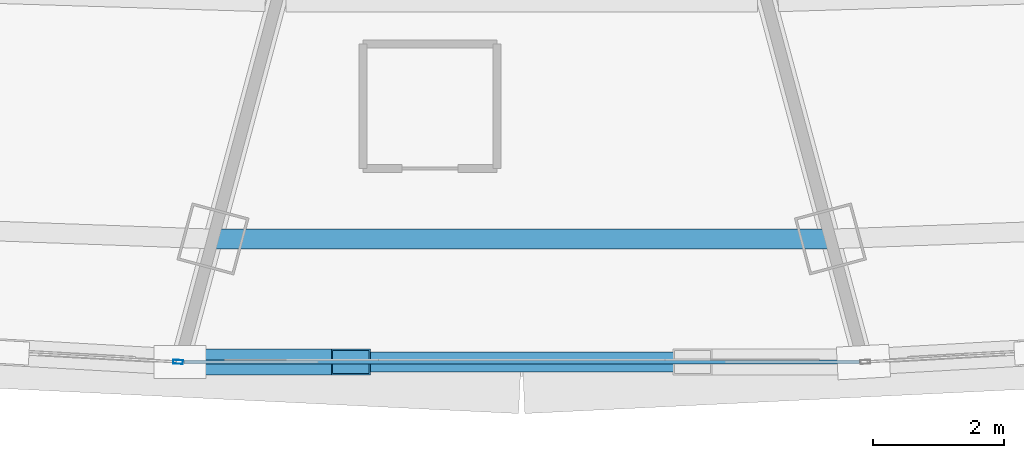
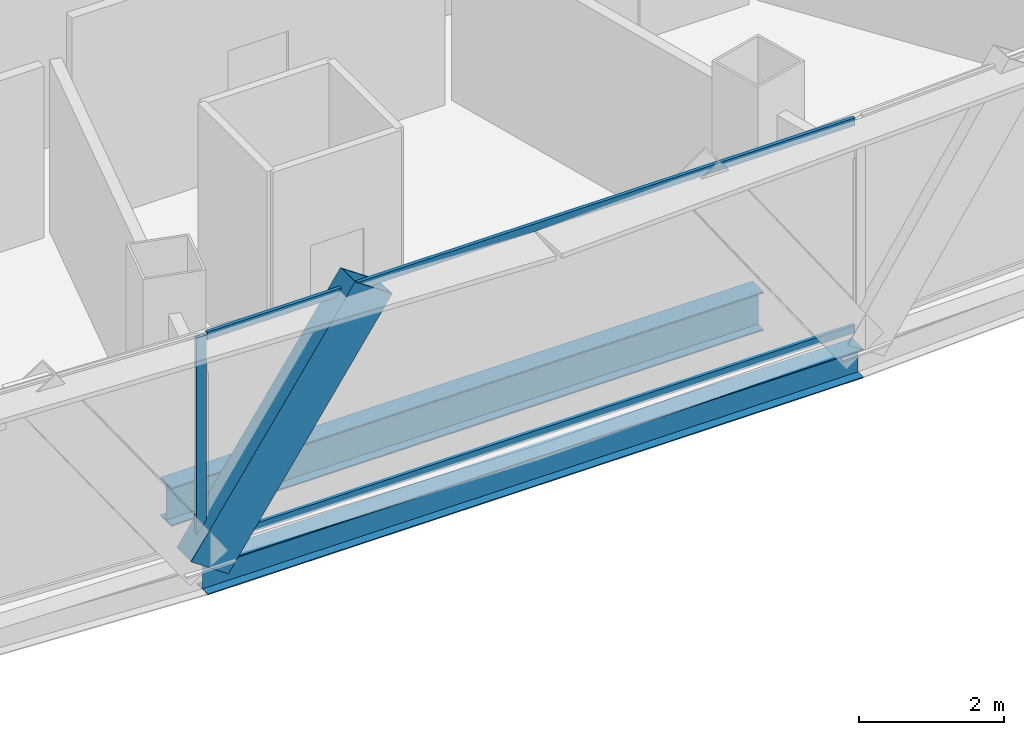
# One storey, part 10 of 37: 4 members, 2 beams, 2 elements without a shape of their own.
"""IFC4 building model written with IfcOpenShell, lengths in metres."""

import ifcopenshell
import ifcopenshell.guid

model = None  # the IFC model being written
_history = None  # IfcOwnerHistory: only IFC2X3 demands one
_inside = {}  # id of a spatial element -> (the spatial element, [elements in it])
_under = {}  # id of a project, library or spatial element -> (it, [spatial elements below it])
_declared = {}  # id of a project -> (the project, [libraries it declares])
_typed = {}  # id of a type object -> (the type object, [elements of that type])
_made_of = {}  # id of a material, layer set ... -> (it, [elements and type objects made of it])


def new_model(schema):
    """Start an empty IFC model of exactly this schema.

    Asked for "IFC4X3", IfcOpenShell would pick the latest addendum, in which some entities
    have other attributes; the version numbers below select the first issue.
    IFC2X3 requires an IfcOwnerHistory on every rooted entity: one is made here for all.
    """
    global model, _history
    if schema == "IFC4X3":
        model = ifcopenshell.file(schema_version=(4, 3, 0, 0))
    else:
        model = ifcopenshell.file(schema=schema)
    _inside.clear()
    _under.clear()
    _declared.clear()
    _typed.clear()
    _made_of.clear()
    _history = None
    if model.schema == "IFC2X3":
        org = make("IfcOrganization", Name="unknown")
        user = make(
            "IfcPersonAndOrganization",
            ThePerson=make("IfcPerson", FamilyName="unknown"),
            TheOrganization=org,
        )
        app = make(
            "IfcApplication",
            ApplicationDeveloper=org,
            Version="unknown",
            ApplicationFullName="unknown",
            ApplicationIdentifier="unknown",
        )
        _history = make(
            "IfcOwnerHistory",
            OwningUser=user,
            OwningApplication=app,
            ChangeAction="ADDED",
            CreationDate=0,
        )
    return model


def make(cls, **values):
    """One entity of the class cls with the attributes given. An attribute that is None is left unset."""
    return model.create_entity(
        cls, **{name: value for name, value in values.items() if value is not None}
    )


def rooted(cls, **values):
    """An entity with a GlobalId (a new one), such as an element, a storey or a relation."""
    return make(cls, GlobalId=ifcopenshell.guid.new(), OwnerHistory=_history, **values)


def si_unit(unit_type, name, prefix=None):
    """IfcSIUnit, for example si_unit("LENGTHUNIT", "METRE", prefix="MILLI")."""
    return make("IfcSIUnit", UnitType=unit_type, Prefix=prefix, Name=name)


def assignment(units):
    """IfcUnitAssignment: the units of a project."""
    return None if units is None else make("IfcUnitAssignment", Units=units)


def point(xyz):
    """IfcCartesianPoint."""
    return None if xyz is None else make("IfcCartesianPoint", Coordinates=xyz)


def direction(xyz):
    """IfcDirection."""
    return None if xyz is None else make("IfcDirection", DirectionRatios=xyz)


def frame(location, z_axis=None, x_axis=None):
    """IfcAxis2Placement3D, a coordinate frame: its origin and axes. An axis left out is left unset."""
    return make(
        "IfcAxis2Placement3D",
        Location=point(location),
        Axis=direction(z_axis),
        RefDirection=direction(x_axis),
    )


def frame_2d(location, x_axis=None):
    """IfcAxis2Placement2D, a coordinate frame in the plane: its origin and x axis."""
    return make(
        "IfcAxis2Placement2D", Location=point(location), RefDirection=direction(x_axis)
    )


def origin():
    """The frame at (0, 0, 0) with its axes left unset."""
    return frame((0.0, 0.0, 0.0))


def origin_2d():
    """The frame at (0, 0) in the plane with its x axis left unset."""
    return frame_2d((0.0, 0.0))


def place(relative_to, where):
    """IfcLocalPlacement: puts the frame where relative to a parent placement (None: the world)."""
    return make(
        "IfcLocalPlacement", PlacementRelTo=relative_to, RelativePlacement=where
    )


def context(
    kind, dimensions, precision=None, world=None, true_north=None, identifier=None
):
    """IfcGeometricRepresentationContext, for example the 3D "Model" context."""
    return make(
        "IfcGeometricRepresentationContext",
        ContextIdentifier=identifier,
        ContextType=kind,
        CoordinateSpaceDimension=dimensions,
        Precision=precision,
        WorldCoordinateSystem=world,
        TrueNorth=true_north,
    )


def subcontext(parent, identifier, kind, view, scale=None):
    """IfcGeometricRepresentationSubContext, for example "Body" below "Model"."""
    return make(
        "IfcGeometricRepresentationSubContext",
        ContextIdentifier=identifier,
        ContextType=kind,
        ParentContext=parent,
        TargetScale=scale,
        TargetView=view,
    )


def project(units=None, contexts=None):
    """IfcProject with its units and contexts."""
    return rooted(
        "IfcProject",
        Name="project",
        RepresentationContexts=contexts,
        UnitsInContext=assignment(units),
    )


def spatial(cls, under=None, at=None, **own):
    """A site, building, storey or space (cls), placed at a placement, below another one or the project."""
    s = rooted(cls, ObjectPlacement=at, **own)
    if under is not None:
        _under.setdefault(under.id(), (under, []))[1].append(s)
    return s


def profile(cls, at=None, kind="AREA", **sizes):
    """A parametric profile (cls). Its sizes go by their IFC names, for example OverallWidth=200.0."""
    return make(cls, ProfileType=kind, Position=at, **sizes)


def hollow_rectangle(**sizes):
    """IfcRectangleHollowProfileDef."""
    return profile("IfcRectangleHollowProfileDef", **sizes)


def i_section(**sizes):
    """IfcIShapeProfileDef."""
    return profile("IfcIShapeProfileDef", **sizes)


def extrude(swept, where, along, depth):
    """IfcExtrudedAreaSolid: the profile swept, set in the frame where, extruded along a direction by depth."""
    return make(
        "IfcExtrudedAreaSolid",
        SweptArea=swept,
        Position=where,
        ExtrudedDirection=direction(along),
        Depth=depth,
    )


def shape(context_of_items, identifier, shape_type, items):
    """IfcShapeRepresentation: the items that make up one representation, for example the "Body"."""
    return make(
        "IfcShapeRepresentation",
        ContextOfItems=context_of_items,
        RepresentationIdentifier=identifier,
        RepresentationType=shape_type,
        Items=items,
    )


def source(mapping_origin, context_of_items, identifier, shape_type, items):
    """IfcRepresentationMap: a shape defined once, which mapped items show again and again."""
    return make(
        "IfcRepresentationMap",
        MappingOrigin=mapping_origin,
        MappedRepresentation=shape(context_of_items, identifier, shape_type, items),
    )


def transform(
    local_origin,
    x_axis=None,
    y_axis=None,
    z_axis=None,
    scale=None,
    scale2=None,
    scale3=None,
    uniform=True,
):
    """IfcCartesianTransformationOperator3D, or its non-uniform kind. x_axis, y_axis, z_axis: its Axis1, 2, 3."""
    if uniform:
        return make(
            "IfcCartesianTransformationOperator3D",
            Axis1=direction(x_axis),
            Axis2=direction(y_axis),
            LocalOrigin=point(local_origin),
            Scale=scale,
            Axis3=direction(z_axis),
        )
    return make(
        "IfcCartesianTransformationOperator3DnonUniform",
        Axis1=direction(x_axis),
        Axis2=direction(y_axis),
        LocalOrigin=point(local_origin),
        Scale=scale,
        Axis3=direction(z_axis),
        Scale2=scale2,
        Scale3=scale3,
    )


def mapped(mapping_source, mapping_target):
    """IfcMappedItem: shows the shape of a source again, moved by a transform."""
    return make(
        "IfcMappedItem", MappingSource=mapping_source, MappingTarget=mapping_target
    )


def material(Name=None, Category=None):
    """IfcMaterial."""
    return make("IfcMaterial", Name=Name, Category=Category)


def layer(
    of_material, thickness, ventilated=None, Name=None, Category=None, Priority=None
):
    """IfcMaterialLayer: one layer of a wall or slab, of a material (None: an air gap)."""
    return make(
        "IfcMaterialLayer",
        Material=of_material,
        LayerThickness=thickness,
        IsVentilated=ventilated,
        Name=Name,
        Category=Category,
        Priority=Priority,
    )


def layer_set(layers, Name=None):
    """IfcMaterialLayerSet."""
    return make("IfcMaterialLayerSet", MaterialLayers=layers, LayerSetName=Name)


def material_profile(
    of_material, cross_section, Name=None, Category=None, Priority=None
):
    """IfcMaterialProfile: a cross section and its material."""
    return make(
        "IfcMaterialProfile",
        Name=Name,
        Material=of_material,
        Profile=cross_section,
        Priority=Priority,
        Category=Category,
    )


def profile_set(profiles, Name=None, composite=None):
    """IfcMaterialProfileSet."""
    return make(
        "IfcMaterialProfileSet",
        Name=Name,
        MaterialProfiles=profiles,
        CompositeProfile=composite,
    )


def made_of(thing, what):
    """Note that an element or type object is made of a material, layer set ...; save() writes the relation."""
    if what is not None:
        _made_of.setdefault(what.id(), (what, []))[1].append(thing)
    return thing


def type_object(cls, material=None, **own):
    """A type object (cls), such as IfcWallType, which elements share."""
    return made_of(rooted(cls, **own), material)


def element(
    cls,
    number,
    at=None,
    inside=None,
    cuts=None,
    type_object=None,
    material=None,
    context=None,
    identifier="Body",
    shape_type=None,
    held_by="IfcProductDefinitionShape",
    body=None,
    shapes=None,
    **own,
):
    """One element of the class cls, such as IfcWall. Its Tag is "e" and its number.

    at: its placement. inside: the storey or other place that contains it. cuts: it is an
    opening in that element (IfcRelVoidsElement). A single representation is given by context,
    identifier, shape_type and body (its items); several are given by shapes. held_by: the class
    of the entity that holds the representations. save() writes the other relations.
    """
    e = rooted(cls, Tag="e%d" % number, ObjectPlacement=at, **own)
    if body is not None:
        shapes = [shape(context, identifier, shape_type, body)]
    if shapes is not None:
        e.Representation = make(held_by, Representations=shapes)
    if inside is not None:
        _inside.setdefault(inside.id(), (inside, []))[1].append(e)
    if cuts is not None:
        rooted(
            "IfcRelVoidsElement", RelatingBuildingElement=cuts, RelatedOpeningElement=e
        )
    if type_object is not None:
        _typed.setdefault(type_object.id(), (type_object, []))[1].append(e)
    return made_of(e, material)


def aggregate(whole, parts):
    """IfcRelAggregates: a whole, such as a stair, and the parts it consists of."""
    return rooted("IfcRelAggregates", RelatingObject=whole, RelatedObjects=parts)


def save(model, path):
    """Write the relations noted so far, then the file.

    IfcRelAggregates (storeys below a building ...), IfcRelContainedInSpatialStructure (elements
    in a storey), IfcRelDefinesByType, IfcRelAssociatesMaterial and IfcRelDeclares: one each for
    every whole, place, type object, material and project.
    """
    for whole, parts in _under.values():
        aggregate(whole, parts)
    for where, things in _inside.values():
        rooted(
            "IfcRelContainedInSpatialStructure",
            RelatedElements=things,
            RelatingStructure=where,
        )
    for kind, things in _typed.values():
        rooted("IfcRelDefinesByType", RelatedObjects=things, RelatingType=kind)
    for what, things in _made_of.values():
        rooted("IfcRelAssociatesMaterial", RelatedObjects=things, RelatingMaterial=what)
    for by, libraries in _declared.values():
        rooted("IfcRelDeclares", RelatingContext=by, RelatedDefinitions=libraries)
    model.write(path)


model = new_model("IFC4")

# Units and contexts
model_context = context("Model", 3, precision=1e-05, world=origin(), true_north=direction((0.0, 1.0)))
body_context = subcontext(model_context, "Body", "Model", "MODEL_VIEW")
ifc_project = project(units=[si_unit("LENGTHUNIT", "METRE"), si_unit("AREAUNIT", "SQUARE_METRE"), si_unit("VOLUMEUNIT", "CUBIC_METRE"), si_unit("PLANEANGLEUNIT", "RADIAN"), si_unit("MASSUNIT", "GRAM", prefix="KILO"), si_unit("THERMODYNAMICTEMPERATUREUNIT", "KELVIN"), si_unit("POWERUNIT", "WATT")], contexts=[model_context])

# Site, building, storey
site_placement = place(None, origin())
site = spatial("IfcSite", under=ifc_project, at=site_placement, CompositionType="ELEMENT")
building_placement = place(site_placement, origin())
building = spatial("IfcBuilding", under=site, at=building_placement, Name="Yunzhuo Pagoda Commons", CompositionType="ELEMENT")
storey_placement = place(building_placement, frame((0.0, 0.0, 192.360107421875)))
storey = spatial("IfcBuildingStorey", under=building, at=storey_placement, Name="L48", CompositionType="ELEMENT", Elevation=192.360107421875)

# Beams
ifc_material_1 = material(Name="Structural steel Q355B", Category="steel")
ifc_material_profile_1 = material_profile(ifc_material_1, i_section(OverallWidth=0.300048828125, OverallDepth=0.64990234375, WebThickness=0.012939453125, FlangeThickness=0.02197265625, at=origin_2d()), Name="Structural steel Q355B")
ifc_profile_set_1 = profile_set([ifc_material_profile_1], Name="Structural steel Q355B")
beam_type_1 = type_object("IfcBeamType", Name="B-RG2 Beam HN 650x300x13x22", PredefinedType="BEAM", material=ifc_profile_set_1)
shared_shape_1 = source(origin(), body_context, "Body", "SweptSolid", [
    extrude(i_section(OverallWidth=0.300048828125, OverallDepth=0.64990234375, WebThickness=0.012939453125, FlangeThickness=0.02197265625, at=origin_2d()), origin(), (0.0, 0.0, 1.0), 9.42529296875),
])
beam_1_placement = place(storey_placement, frame((43.28759765625, 16.1123046875, -0.585205078125), z_axis=(1.0, 0.0, 0.0), x_axis=(0.0, 1.0, 0.0)))
element("IfcBeam", 1, at=beam_1_placement, inside=storey, type_object=beam_type_1, Name="L48 column-ring beam 2", PredefinedType="BEAM", context=body_context, shape_type="MappedRepresentation", body=[
    mapped(shared_shape_1, transform((0.0, 0.0, 0.0), scale=1.0)),
])
ifc_material_profile_2 = material_profile(ifc_material_1, i_section(OverallWidth=0.300048828125, OverallDepth=0.488037109375, WebThickness=0.010986328125, FlangeThickness=0.01806640625, at=origin_2d()), Name="Structural steel Q355B")
ifc_profile_set_2 = profile_set([ifc_material_profile_2], Name="Structural steel Q355B")
beam_type_2 = type_object("IfcBeamType", Name="B-SP1 Beam HM 488x300x11x18", PredefinedType="BEAM", material=ifc_profile_set_2)
shared_shape_2 = source(origin(), body_context, "Body", "SweptSolid", [
    extrude(i_section(OverallWidth=0.300048828125, OverallDepth=0.488037109375, WebThickness=0.010986328125, FlangeThickness=0.01806640625, at=origin_2d()), origin(), (0.0, 0.0, 1.0), 10.43212890625),
])
beam_2_placement = place(storey_placement, frame((42.7841796875, 14.233642578125, -0.504150390625), z_axis=(1.0, 0.0, 0.0), x_axis=(0.0, 1.0, 0.0)))
element("IfcBeam", 2, at=beam_2_placement, inside=storey, type_object=beam_type_2, Name="L48 facade edge spandrel beam F1.2", PredefinedType="BEAM", context=body_context, shape_type="MappedRepresentation", body=[
    mapped(shared_shape_2, transform((0.0, 0.0, 0.0), scale=1.0)),
])

# Member
ifc_material_profile_3 = material_profile(ifc_material_1, hollow_rectangle(XDim=0.39990234375, YDim=0.719970703125, WallThickness=0.02392578125, at=origin_2d()), Name="Structural steel Q355B")
ifc_profile_set_3 = profile_set([ifc_material_profile_3], Name="Structural steel Q355B")
member_type_1 = type_object("IfcMemberType", Name="M-DL2 Brace BOX 720x400x24", PredefinedType="BRACE", material=ifc_profile_set_3)
shared_shape_3 = source(origin(), body_context, "Body", "SweptSolid", [
    extrude(hollow_rectangle(XDim=0.39990234375, YDim=0.719970703125, WallThickness=0.02392578125, at=origin_2d()), origin(), (0.0, 0.0, 1.0), 4.608642578125),
])
member_1_placement = place(storey_placement, frame((42.7841796875, 14.233642578125, -0.260009765625), z_axis=(0.565872154436, 0.0, 0.824492998656), x_axis=(0.0, 1.0, 0.0)))
element("IfcMember", 3, at=member_1_placement, inside=storey, type_object=member_type_1, Name="L48 facade diamond brace F1.2L", PredefinedType="BRACE", context=body_context, shape_type="MappedRepresentation", body=[
    mapped(shared_shape_3, transform((0.0, 0.0, 0.0), scale=1.0)),
])

# Curtain wall, member
ifc_material_2 = material(Name="Anodized aluminium 6063-T6", Category="aluminium")
ifc_layer = layer(ifc_material_2, 0.14990234375)
ifc_layer_set = layer_set([ifc_layer], Name="Anodized aluminium 6063-T6")
curtain_wall_type = type_object("IfcCurtainWallType", Name="CW-MID Mid-Zone Ribbon Curtain Wall", PredefinedType="NOTDEFINED", material=ifc_layer_set)
curtain_wall_1_placement = place(storey_placement, origin())
curtain_wall_1 = element("IfcCurtainWall", 4, at=curtain_wall_1_placement, inside=storey, type_object=curtain_wall_type, Name="L48 curtain wall CW-L48-F1B2", PredefinedType="NOTDEFINED")
ifc_material_profile_4 = material_profile(ifc_material_2, hollow_rectangle(XDim=0.06005859375, YDim=0.14990234375, WallThickness=0.00390625, at=origin_2d()), Name="Anodized aluminium 6063-T6")
ifc_profile_set_4 = profile_set([ifc_material_profile_4], Name="Anodized aluminium 6063-T6")
member_type_2 = type_object("IfcMemberType", Name="CW-MID-M Mullion RHS 150x60x4", PredefinedType="MULLION", material=ifc_profile_set_4)
shared_shape_4 = source(origin(), body_context, "Body", "SweptSolid", [
    extrude(hollow_rectangle(XDim=0.06005859375, YDim=0.14990234375, WallThickness=0.00390625, at=origin_2d()), origin(), (0.0, 0.0, 1.0), 3.539794921875),
])
member_2_placement = place(storey_placement, frame((42.754150390625, 14.2353515625, 0.0), z_axis=(0.0, 0.0, 1.0), x_axis=(0.055982959182, 0.998431724396, 0.0)))
member_2 = element("IfcMember", 5, at=member_2_placement, type_object=member_type_2, Name="CW mullion 2", PredefinedType="MULLION", context=body_context, shape_type="MappedRepresentation", body=[
    mapped(shared_shape_4, transform((0.0, 0.0, 0.0), scale=1.0)),
])
aggregate(curtain_wall_1, [member_2])

# Curtain wall, members
curtain_wall_2_placement = place(storey_placement, origin())
curtain_wall_2 = element("IfcCurtainWall", 6, at=curtain_wall_2_placement, inside=storey, type_object=curtain_wall_type, Name="L48 curtain wall CW-L48-F1B3", PredefinedType="NOTDEFINED")
ifc_material_profile_5 = material_profile(ifc_material_2, hollow_rectangle(XDim=0.054931640625, YDim=0.1298828125, WallThickness=0.00341796875, at=origin_2d()), Name="Anodized aluminium 6063-T6")
ifc_profile_set_5 = profile_set([ifc_material_profile_5], Name="Anodized aluminium 6063-T6")
member_type_3 = type_object("IfcMemberType", Name="CW-MID-T Transom RHS 130x55x3.5", PredefinedType="USERDEFINED", material=ifc_profile_set_5)
shared_shape_5 = source(origin(), body_context, "Body", "SweptSolid", [
    extrude(hollow_rectangle(XDim=0.054931640625, YDim=0.1298828125, WallThickness=0.00341796875, at=origin_2d()), origin(), (0.0, 0.0, 1.0), 10.31201171875),
])
member_3_placement = place(storey_placement, frame((42.843994140625, 14.233642578125, 0.02734375), z_axis=(1.0, 0.0, 0.0), x_axis=(0.0, 1.0, 0.0)))
member_3 = element("IfcMember", 7, at=member_3_placement, type_object=member_type_3, Name="CW transom 1.1", ObjectType="TRANSOM", PredefinedType="USERDEFINED", context=body_context, shape_type="MappedRepresentation", body=[
    mapped(shared_shape_5, transform((0.0, 0.0, 0.0), scale=1.0)),
])
member_4_placement = place(storey_placement, frame((42.843994140625, 14.233642578125, 3.512451171875), z_axis=(1.0, 0.0, 0.0), x_axis=(0.0, 1.0, 0.0)))
member_4 = element("IfcMember", 8, at=member_4_placement, type_object=member_type_3, Name="CW transom 1.2", ObjectType="TRANSOM", PredefinedType="USERDEFINED", context=body_context, shape_type="MappedRepresentation", body=[
    mapped(shared_shape_5, transform((0.0, 0.0, 0.0), scale=1.0)),
])
aggregate(curtain_wall_2, [member_3, member_4])

save(model, "model.ifc")
